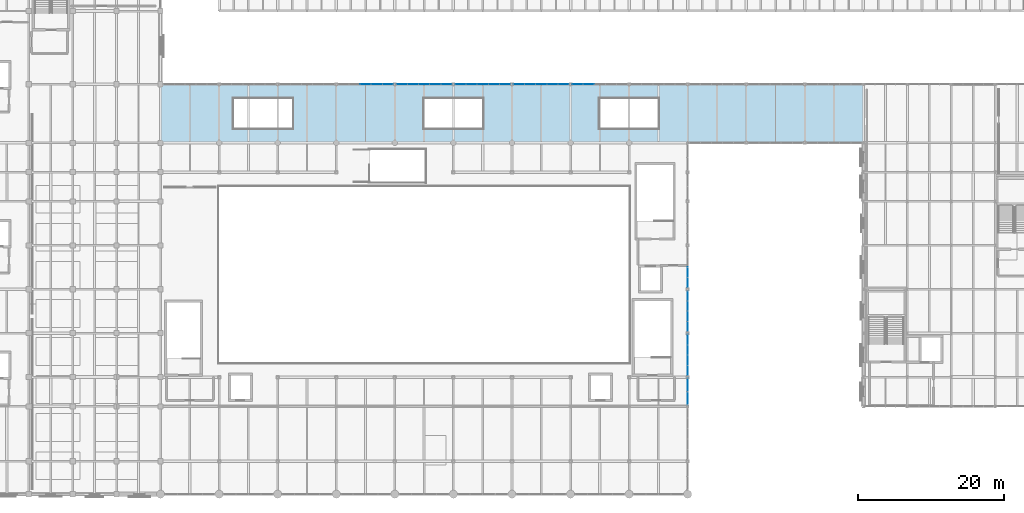
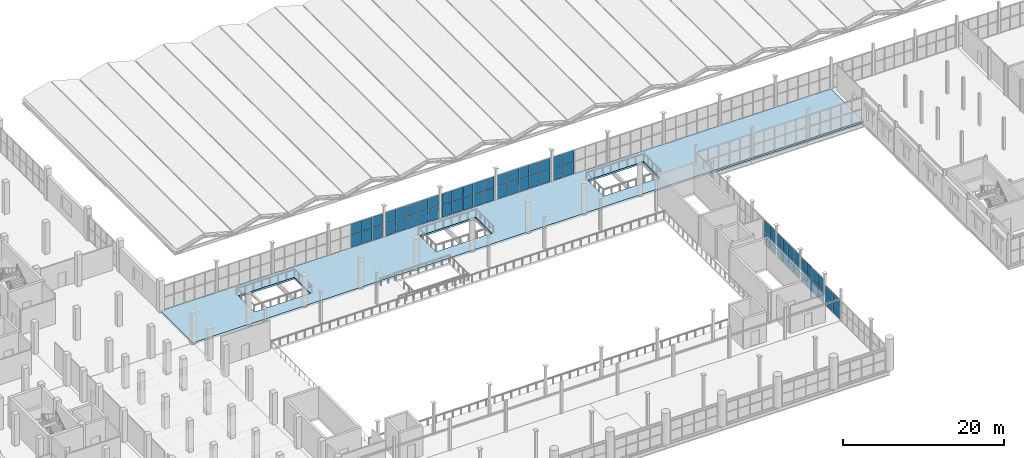
# One storey, part 84 of 114: 64 plates, 1 slab, 9 elements without a shape of their own.
"""IFC4 building model written with IfcOpenShell, lengths in metres."""

from ifc_helpers import new_model, si_unit, direction, frame, origin, origin_2d, place, context, subcontext, project, spatial, polyline, rectangle, outline, extrude, material, layer, layer_set, type_object, element, aggregate, save


model = new_model("IFC4")

# Units and contexts
model_context = context("Model", 3, precision=1e-05, world=origin(), true_north=direction((0.0, 1.0)))
body_context = subcontext(model_context, "Body", "Model", "MODEL_VIEW")
ifc_project = project(units=[si_unit("LENGTHUNIT", "METRE"), si_unit("AREAUNIT", "SQUARE_METRE"), si_unit("VOLUMEUNIT", "CUBIC_METRE"), si_unit("PLANEANGLEUNIT", "RADIAN"), si_unit("MASSUNIT", "GRAM", prefix="KILO")], contexts=[model_context])

# Site, building, storey
site_placement = place(None, origin())
site = spatial("IfcSite", under=ifc_project, at=site_placement, CompositionType="ELEMENT")
building_placement = place(site_placement, origin())
building = spatial("IfcBuilding", under=site, at=building_placement, Name="Verrall Gate Interchange", CompositionType="ELEMENT")
storey_placement = place(building_placement, frame((0.0, 0.0, 6.60009765625)))
storey = spatial("IfcBuildingStorey", under=building, at=storey_placement, Name="L02", CompositionType="ELEMENT", Elevation=6.60009765625)

# Curtain wall, plates
ifc_material_1 = material(Name="Thermally Broken Anodized Aluminium Curtain Wall Framing", Category="aluminium")
curtain_wall_type_1 = type_object("IfcCurtainWallType", Name="CW-18 Unitized Curtain Wall 5631x3760", PredefinedType="NOTDEFINED", material=ifc_material_1)
curtain_wall_1_placement = place(storey_placement, origin())
curtain_wall_1 = element("IfcCurtainWall", 1, at=curtain_wall_1_placement, inside=storey, type_object=curtain_wall_type_1, Name="L02 Unitized Curtain Wall CW-L02-064", PredefinedType="NOTDEFINED")
ifc_material_2 = material(Name="Triple-Glazed Low-E Argon Insulated Curtain Panel (U=1.45)", Category="glass")
ifc_layer_1 = layer(ifc_material_2, 0.030029296875)
ifc_layer_set_1 = layer_set([ifc_layer_1], Name="Triple-Glazed Low-E Argon Insulated Curtain Panel (U=1.45)")
plate_type_1 = type_object("IfcPlateType", Name="CP-01 Curtain Glazing Panel 30", PredefinedType="CURTAIN_PANEL", material=ifc_layer_set_1)
plate_1_placement = place(storey_placement, frame((108.0, 16.90478515625, 0.054443359375), z_axis=(0.0, 0.0, 1.0), x_axis=(0.0, 1.0, 0.0)))
plate_1 = element("IfcPlate", 2, at=plate_1_placement, type_object=plate_type_1, Name="CW-L02-064 Glazing Panel 1.1", PredefinedType="CURTAIN_PANEL", context=body_context, shape_type="SweptSolid", body=[
    extrude(rectangle(XDim=1.3310546875, YDim=0.030029296875, at=origin_2d()), origin(), (0.0, 0.0, 1.0), 1.87841796875),
])
plate_2_placement = place(storey_placement, frame((108.0, 16.90478515625, 1.977294921875), z_axis=(0.0, 0.0, 1.0), x_axis=(0.0, 1.0, 0.0)))
plate_2 = element("IfcPlate", 3, at=plate_2_placement, type_object=plate_type_1, Name="CW-L02-064 Glazing Panel 1.2", PredefinedType="CURTAIN_PANEL", context=body_context, shape_type="SweptSolid", body=[
    extrude(rectangle(XDim=1.3310546875, YDim=0.030029296875, at=origin_2d()), origin(), (0.0, 0.0, 1.0), 1.72802734375),
])
plate_3_placement = place(storey_placement, frame((108.0, 18.296142578125, 0.054443359375), z_axis=(0.0, 0.0, 1.0), x_axis=(0.0, 1.0, 0.0)))
plate_3 = element("IfcPlate", 4, at=plate_3_placement, type_object=plate_type_1, Name="CW-L02-064 Glazing Panel 2.1", PredefinedType="CURTAIN_PANEL", context=body_context, shape_type="SweptSolid", body=[
    extrude(rectangle(XDim=1.363525390625, YDim=0.030029296875, at=origin_2d()), origin(), (0.0, 0.0, 1.0), 1.87841796875),
])
plate_4_placement = place(storey_placement, frame((108.0, 18.296142578125, 1.977294921875), z_axis=(0.0, 0.0, 1.0), x_axis=(0.0, 1.0, 0.0)))
plate_4 = element("IfcPlate", 5, at=plate_4_placement, type_object=plate_type_1, Name="CW-L02-064 Glazing Panel 2.2", PredefinedType="CURTAIN_PANEL", context=body_context, shape_type="SweptSolid", body=[
    extrude(rectangle(XDim=1.363525390625, YDim=0.030029296875, at=origin_2d()), origin(), (0.0, 0.0, 1.0), 1.72802734375),
])
plate_5_placement = place(storey_placement, frame((108.0, 19.703857421875, 0.054443359375), z_axis=(0.0, 0.0, 1.0), x_axis=(0.0, 1.0, 0.0)))
plate_5 = element("IfcPlate", 6, at=plate_5_placement, type_object=plate_type_1, Name="CW-L02-064 Glazing Panel 3.1", PredefinedType="CURTAIN_PANEL", context=body_context, shape_type="SweptSolid", body=[
    extrude(rectangle(XDim=1.363525390625, YDim=0.030029296875, at=origin_2d()), origin(), (0.0, 0.0, 1.0), 1.87841796875),
])
plate_6_placement = place(storey_placement, frame((108.0, 19.703857421875, 1.977294921875), z_axis=(0.0, 0.0, 1.0), x_axis=(0.0, 1.0, 0.0)))
plate_6 = element("IfcPlate", 7, at=plate_6_placement, type_object=plate_type_1, Name="CW-L02-064 Glazing Panel 3.2", PredefinedType="CURTAIN_PANEL", context=body_context, shape_type="SweptSolid", body=[
    extrude(rectangle(XDim=1.363525390625, YDim=0.030029296875, at=origin_2d()), origin(), (0.0, 0.0, 1.0), 1.72802734375),
])
plate_7_placement = place(storey_placement, frame((108.0, 21.095458984375, 0.054443359375), z_axis=(0.0, 0.0, 1.0), x_axis=(0.0, 1.0, 0.0)))
plate_7 = element("IfcPlate", 8, at=plate_7_placement, type_object=plate_type_1, Name="CW-L02-064 Glazing Panel 4.1", PredefinedType="CURTAIN_PANEL", context=body_context, shape_type="SweptSolid", body=[
    extrude(rectangle(XDim=1.3310546875, YDim=0.030029296875, at=origin_2d()), origin(), (0.0, 0.0, 1.0), 1.87841796875),
])
plate_8_placement = place(storey_placement, frame((108.0, 21.095458984375, 1.977294921875), z_axis=(0.0, 0.0, 1.0), x_axis=(0.0, 1.0, 0.0)))
plate_8 = element("IfcPlate", 9, at=plate_8_placement, type_object=plate_type_1, Name="CW-L02-064 Glazing Panel 4.2", PredefinedType="CURTAIN_PANEL", context=body_context, shape_type="SweptSolid", body=[
    extrude(rectangle(XDim=1.3310546875, YDim=0.030029296875, at=origin_2d()), origin(), (0.0, 0.0, 1.0), 1.72802734375),
])
aggregate(curtain_wall_1, [plate_1, plate_2, plate_3, plate_4, plate_5, plate_6, plate_7, plate_8])

curtain_wall_2_placement = place(storey_placement, origin())
curtain_wall_2 = element("IfcCurtainWall", 10, at=curtain_wall_2_placement, inside=storey, type_object=curtain_wall_type_1, Name="L02 Unitized Curtain Wall CW-L02-065", PredefinedType="NOTDEFINED")
plate_9_placement = place(storey_placement, frame((108.0, 22.9072265625, 0.06298828125), z_axis=(0.0, 0.0, 1.0), x_axis=(0.0, 1.0, 0.0)))
plate_9 = element("IfcPlate", 11, at=plate_9_placement, type_object=plate_type_1, Name="CW-L02-065 Glazing Panel 1.1", PredefinedType="CURTAIN_PANEL", context=body_context, shape_type="SweptSolid", body=[
    extrude(rectangle(XDim=1.3193359375, YDim=0.030029296875, at=origin_2d()), origin(), (0.0, 0.0, 1.0), 1.903076171875),
])
plate_10_placement = place(storey_placement, frame((108.0, 22.9072265625, 2.016845703125), z_axis=(0.0, 0.0, 1.0), x_axis=(0.0, 1.0, 0.0)))
plate_10 = element("IfcPlate", 12, at=plate_10_placement, type_object=plate_type_1, Name="CW-L02-065 Glazing Panel 1.2", PredefinedType="CURTAIN_PANEL", context=body_context, shape_type="SweptSolid", body=[
    extrude(rectangle(XDim=1.3193359375, YDim=0.030029296875, at=origin_2d()), origin(), (0.0, 0.0, 1.0), 1.75),
])
plate_11_placement = place(storey_placement, frame((108.0, 24.296142578125, 0.06298828125), z_axis=(0.0, 0.0, 1.0), x_axis=(0.0, 1.0, 0.0)))
plate_11 = element("IfcPlate", 13, at=plate_11_placement, type_object=plate_type_1, Name="CW-L02-065 Glazing Panel 2.1", PredefinedType="CURTAIN_PANEL", context=body_context, shape_type="SweptSolid", body=[
    extrude(rectangle(XDim=1.356689453125, YDim=0.030029296875, at=origin_2d()), origin(), (0.0, 0.0, 1.0), 1.903076171875),
])
plate_12_placement = place(storey_placement, frame((108.0, 24.296142578125, 2.016845703125), z_axis=(0.0, 0.0, 1.0), x_axis=(0.0, 1.0, 0.0)))
plate_12 = element("IfcPlate", 14, at=plate_12_placement, type_object=plate_type_1, Name="CW-L02-065 Glazing Panel 2.2", PredefinedType="CURTAIN_PANEL", context=body_context, shape_type="SweptSolid", body=[
    extrude(rectangle(XDim=1.356689453125, YDim=0.030029296875, at=origin_2d()), origin(), (0.0, 0.0, 1.0), 1.75),
])
plate_13_placement = place(storey_placement, frame((108.0, 25.703857421875, 0.06298828125), z_axis=(0.0, 0.0, 1.0), x_axis=(0.0, 1.0, 0.0)))
plate_13 = element("IfcPlate", 15, at=plate_13_placement, type_object=plate_type_1, Name="CW-L02-065 Glazing Panel 3.1", PredefinedType="CURTAIN_PANEL", context=body_context, shape_type="SweptSolid", body=[
    extrude(rectangle(XDim=1.356689453125, YDim=0.030029296875, at=origin_2d()), origin(), (0.0, 0.0, 1.0), 1.903076171875),
])
plate_14_placement = place(storey_placement, frame((108.0, 25.703857421875, 2.016845703125), z_axis=(0.0, 0.0, 1.0), x_axis=(0.0, 1.0, 0.0)))
plate_14 = element("IfcPlate", 16, at=plate_14_placement, type_object=plate_type_1, Name="CW-L02-065 Glazing Panel 3.2", PredefinedType="CURTAIN_PANEL", context=body_context, shape_type="SweptSolid", body=[
    extrude(rectangle(XDim=1.356689453125, YDim=0.030029296875, at=origin_2d()), origin(), (0.0, 0.0, 1.0), 1.75),
])
plate_15_placement = place(storey_placement, frame((108.0, 27.093017578125, 0.06298828125), z_axis=(0.0, 0.0, 1.0), x_axis=(0.0, 1.0, 0.0)))
plate_15 = element("IfcPlate", 17, at=plate_15_placement, type_object=plate_type_1, Name="CW-L02-065 Glazing Panel 4.1", PredefinedType="CURTAIN_PANEL", context=body_context, shape_type="SweptSolid", body=[
    extrude(rectangle(XDim=1.319091796875, YDim=0.030029296875, at=origin_2d()), origin(), (0.0, 0.0, 1.0), 1.903076171875),
])
plate_16_placement = place(storey_placement, frame((108.0, 27.093017578125, 2.016845703125), z_axis=(0.0, 0.0, 1.0), x_axis=(0.0, 1.0, 0.0)))
plate_16 = element("IfcPlate", 18, at=plate_16_placement, type_object=plate_type_1, Name="CW-L02-065 Glazing Panel 4.2", PredefinedType="CURTAIN_PANEL", context=body_context, shape_type="SweptSolid", body=[
    extrude(rectangle(XDim=1.319091796875, YDim=0.030029296875, at=origin_2d()), origin(), (0.0, 0.0, 1.0), 1.75),
])
aggregate(curtain_wall_2, [plate_9, plate_10, plate_11, plate_12, plate_13, plate_14, plate_15, plate_16])

ifc_material_3 = material(Name="Thermally Broken Anodized Aluminium Curtain Wall Framing", Category="aluminium")
curtain_wall_type_2 = type_object("IfcCurtainWallType", Name="CW-21 Unitized Curtain Wall 7631x3680", PredefinedType="NOTDEFINED", material=ifc_material_3)
curtain_wall_3_placement = place(storey_placement, origin())
curtain_wall_3 = element("IfcCurtainWall", 19, at=curtain_wall_3_placement, inside=storey, type_object=curtain_wall_type_2, Name="L02 Unitized Curtain Wall CW-L02-077", PredefinedType="NOTDEFINED")
plate_17_placement = place(storey_placement, frame((94.473876953125, 56.0, 0.062744140625), z_axis=(0.0, 0.0, 1.0), x_axis=(-1.0, 0.0, 0.0)))
plate_17 = element("IfcPlate", 20, at=plate_17_placement, type_object=plate_type_1, Name="CW-L02-077 Glazing Panel 4.1", PredefinedType="CURTAIN_PANEL", context=body_context, shape_type="SweptSolid", body=[
    extrude(rectangle(XDim=1.47509765625, YDim=0.030029296875, at=origin_2d()), origin(), (0.0, 0.0, 1.0), 1.8251953125),
])
plate_18_placement = place(storey_placement, frame((94.473876953125, 56.0, 1.93896484375), z_axis=(0.0, 0.0, 1.0), x_axis=(-1.0, 0.0, 0.0)))
plate_18 = element("IfcPlate", 21, at=plate_18_placement, type_object=plate_type_1, Name="CW-L02-077 Glazing Panel 4.2", PredefinedType="CURTAIN_PANEL", context=body_context, shape_type="SweptSolid", body=[
    extrude(rectangle(XDim=1.47509765625, YDim=0.030029296875, at=origin_2d()), origin(), (0.0, 0.0, 1.0), 1.677978515625),
])
plate_19_placement = place(storey_placement, frame((92.96630859375, 56.0, 0.062744140625), z_axis=(0.0, 0.0, 1.0), x_axis=(-1.0, 0.0, 0.0)))
plate_19 = element("IfcPlate", 22, at=plate_19_placement, type_object=plate_type_1, Name="CW-L02-077 Glazing Panel 5.1", PredefinedType="CURTAIN_PANEL", context=body_context, shape_type="SweptSolid", body=[
    extrude(rectangle(XDim=1.437744140625, YDim=0.030029296875, at=origin_2d()), origin(), (0.0, 0.0, 1.0), 1.8251953125),
])
plate_20_placement = place(storey_placement, frame((92.96630859375, 56.0, 1.93896484375), z_axis=(0.0, 0.0, 1.0), x_axis=(-1.0, 0.0, 0.0)))
plate_20 = element("IfcPlate", 23, at=plate_20_placement, type_object=plate_type_1, Name="CW-L02-077 Glazing Panel 5.2", PredefinedType="CURTAIN_PANEL", context=body_context, shape_type="SweptSolid", body=[
    extrude(rectangle(XDim=1.437744140625, YDim=0.030029296875, at=origin_2d()), origin(), (0.0, 0.0, 1.0), 1.677978515625),
])
aggregate(curtain_wall_3, [plate_17, plate_18, plate_19, plate_20])

curtain_wall_4_placement = place(storey_placement, origin())
curtain_wall_4 = element("IfcCurtainWall", 24, at=curtain_wall_4_placement, inside=storey, type_object=curtain_wall_type_2, Name="L02 Unitized Curtain Wall CW-L02-080", PredefinedType="NOTDEFINED")
plate_21_placement = place(storey_placement, frame((75.0361328125, 56.0, 0.054443359375), z_axis=(0.0, 0.0, 1.0), x_axis=(-1.0, 0.0, 0.0)))
plate_21 = element("IfcPlate", 25, at=plate_21_placement, type_object=plate_type_1, Name="CW-L02-080 Glazing Panel 1.1", PredefinedType="CURTAIN_PANEL", context=body_context, shape_type="SweptSolid", body=[
    extrude(rectangle(XDim=1.449462890625, YDim=0.030029296875, at=origin_2d()), origin(), (0.0, 0.0, 1.0), 1.8369140625),
])
plate_22_placement = place(storey_placement, frame((75.0361328125, 56.0, 1.935546875), z_axis=(0.0, 0.0, 1.0), x_axis=(-1.0, 0.0, 0.0)))
plate_22 = element("IfcPlate", 26, at=plate_22_placement, type_object=plate_type_1, Name="CW-L02-080 Glazing Panel 1.2", PredefinedType="CURTAIN_PANEL", context=body_context, shape_type="SweptSolid", body=[
    extrude(rectangle(XDim=1.449462890625, YDim=0.030029296875, at=origin_2d()), origin(), (0.0, 0.0, 1.0), 1.689697265625),
])
plate_23_placement = place(storey_placement, frame((73.526123046875, 56.0, 0.054443359375), z_axis=(0.0, 0.0, 1.0), x_axis=(-1.0, 0.0, 0.0)))
plate_23 = element("IfcPlate", 27, at=plate_23_placement, type_object=plate_type_1, Name="CW-L02-080 Glazing Panel 2.1", PredefinedType="CURTAIN_PANEL", context=body_context, shape_type="SweptSolid", body=[
    extrude(rectangle(XDim=1.48193359375, YDim=0.030029296875, at=origin_2d()), origin(), (0.0, 0.0, 1.0), 1.8369140625),
])
plate_24_placement = place(storey_placement, frame((73.526123046875, 56.0, 1.935546875), z_axis=(0.0, 0.0, 1.0), x_axis=(-1.0, 0.0, 0.0)))
plate_24 = element("IfcPlate", 28, at=plate_24_placement, type_object=plate_type_1, Name="CW-L02-080 Glazing Panel 2.2", PredefinedType="CURTAIN_PANEL", context=body_context, shape_type="SweptSolid", body=[
    extrude(rectangle(XDim=1.48193359375, YDim=0.030029296875, at=origin_2d()), origin(), (0.0, 0.0, 1.0), 1.689697265625),
])
plate_25_placement = place(storey_placement, frame((72.0, 56.0, 0.054443359375), z_axis=(0.0, 0.0, 1.0), x_axis=(-1.0, 0.0, 0.0)))
plate_25 = element("IfcPlate", 29, at=plate_25_placement, type_object=plate_type_1, Name="CW-L02-080 Glazing Panel 3.1", PredefinedType="CURTAIN_PANEL", context=body_context, shape_type="SweptSolid", body=[
    extrude(rectangle(XDim=1.48193359375, YDim=0.030029296875, at=origin_2d()), origin(), (0.0, 0.0, 1.0), 1.8369140625),
])
plate_26_placement = place(storey_placement, frame((72.0, 56.0, 1.935546875), z_axis=(0.0, 0.0, 1.0), x_axis=(-1.0, 0.0, 0.0)))
plate_26 = element("IfcPlate", 30, at=plate_26_placement, type_object=plate_type_1, Name="CW-L02-080 Glazing Panel 3.2", PredefinedType="CURTAIN_PANEL", context=body_context, shape_type="SweptSolid", body=[
    extrude(rectangle(XDim=1.48193359375, YDim=0.030029296875, at=origin_2d()), origin(), (0.0, 0.0, 1.0), 1.689697265625),
])
plate_27_placement = place(storey_placement, frame((70.473876953125, 56.0, 0.054443359375), z_axis=(0.0, 0.0, 1.0), x_axis=(-1.0, 0.0, 0.0)))
plate_27 = element("IfcPlate", 31, at=plate_27_placement, type_object=plate_type_1, Name="CW-L02-080 Glazing Panel 4.1", PredefinedType="CURTAIN_PANEL", context=body_context, shape_type="SweptSolid", body=[
    extrude(rectangle(XDim=1.48193359375, YDim=0.030029296875, at=origin_2d()), origin(), (0.0, 0.0, 1.0), 1.8369140625),
])
plate_28_placement = place(storey_placement, frame((70.473876953125, 56.0, 1.935546875), z_axis=(0.0, 0.0, 1.0), x_axis=(-1.0, 0.0, 0.0)))
plate_28 = element("IfcPlate", 32, at=plate_28_placement, type_object=plate_type_1, Name="CW-L02-080 Glazing Panel 4.2", PredefinedType="CURTAIN_PANEL", context=body_context, shape_type="SweptSolid", body=[
    extrude(rectangle(XDim=1.48193359375, YDim=0.030029296875, at=origin_2d()), origin(), (0.0, 0.0, 1.0), 1.689697265625),
])
plate_29_placement = place(storey_placement, frame((68.9638671875, 56.0, 0.054443359375), z_axis=(0.0, 0.0, 1.0), x_axis=(-1.0, 0.0, 0.0)))
plate_29 = element("IfcPlate", 33, at=plate_29_placement, type_object=plate_type_1, Name="CW-L02-080 Glazing Panel 5.1", PredefinedType="CURTAIN_PANEL", context=body_context, shape_type="SweptSolid", body=[
    extrude(rectangle(XDim=1.449462890625, YDim=0.030029296875, at=origin_2d()), origin(), (0.0, 0.0, 1.0), 1.8369140625),
])
plate_30_placement = place(storey_placement, frame((68.9638671875, 56.0, 1.935546875), z_axis=(0.0, 0.0, 1.0), x_axis=(-1.0, 0.0, 0.0)))
plate_30 = element("IfcPlate", 34, at=plate_30_placement, type_object=plate_type_1, Name="CW-L02-080 Glazing Panel 5.2", PredefinedType="CURTAIN_PANEL", context=body_context, shape_type="SweptSolid", body=[
    extrude(rectangle(XDim=1.449462890625, YDim=0.030029296875, at=origin_2d()), origin(), (0.0, 0.0, 1.0), 1.689697265625),
])
aggregate(curtain_wall_4, [plate_21, plate_22, plate_23, plate_24, plate_25, plate_26, plate_27, plate_28, plate_29, plate_30])

curtain_wall_5_placement = place(storey_placement, origin())
curtain_wall_5 = element("IfcCurtainWall", 35, at=curtain_wall_5_placement, inside=storey, type_object=curtain_wall_type_2, Name="L02 Unitized Curtain Wall CW-L02-081", PredefinedType="NOTDEFINED")
plate_31_placement = place(storey_placement, frame((67.03369140625, 56.0, 0.062744140625), z_axis=(0.0, 0.0, 1.0), x_axis=(-1.0, 0.0, 0.0)))
plate_31 = element("IfcPlate", 36, at=plate_31_placement, type_object=plate_type_1, Name="CW-L02-081 Glazing Panel 1.1", PredefinedType="CURTAIN_PANEL", context=body_context, shape_type="SweptSolid", body=[
    extrude(rectangle(XDim=1.437744140625, YDim=0.030029296875, at=origin_2d()), origin(), (0.0, 0.0, 1.0), 1.8251953125),
])
plate_32_placement = place(storey_placement, frame((67.03369140625, 56.0, 1.93896484375), z_axis=(0.0, 0.0, 1.0), x_axis=(-1.0, 0.0, 0.0)))
plate_32 = element("IfcPlate", 37, at=plate_32_placement, type_object=plate_type_1, Name="CW-L02-081 Glazing Panel 1.2", PredefinedType="CURTAIN_PANEL", context=body_context, shape_type="SweptSolid", body=[
    extrude(rectangle(XDim=1.437744140625, YDim=0.030029296875, at=origin_2d()), origin(), (0.0, 0.0, 1.0), 1.677978515625),
])
plate_33_placement = place(storey_placement, frame((65.526123046875, 56.0, 0.062744140625), z_axis=(0.0, 0.0, 1.0), x_axis=(-1.0, 0.0, 0.0)))
plate_33 = element("IfcPlate", 38, at=plate_33_placement, type_object=plate_type_1, Name="CW-L02-081 Glazing Panel 2.1", PredefinedType="CURTAIN_PANEL", context=body_context, shape_type="SweptSolid", body=[
    extrude(rectangle(XDim=1.47509765625, YDim=0.030029296875, at=origin_2d()), origin(), (0.0, 0.0, 1.0), 1.8251953125),
])
plate_34_placement = place(storey_placement, frame((65.526123046875, 56.0, 1.93896484375), z_axis=(0.0, 0.0, 1.0), x_axis=(-1.0, 0.0, 0.0)))
plate_34 = element("IfcPlate", 39, at=plate_34_placement, type_object=plate_type_1, Name="CW-L02-081 Glazing Panel 2.2", PredefinedType="CURTAIN_PANEL", context=body_context, shape_type="SweptSolid", body=[
    extrude(rectangle(XDim=1.47509765625, YDim=0.030029296875, at=origin_2d()), origin(), (0.0, 0.0, 1.0), 1.677978515625),
])
plate_35_placement = place(storey_placement, frame((64.0, 56.0, 0.062744140625), z_axis=(0.0, 0.0, 1.0), x_axis=(-1.0, 0.0, 0.0)))
plate_35 = element("IfcPlate", 40, at=plate_35_placement, type_object=plate_type_1, Name="CW-L02-081 Glazing Panel 3.1", PredefinedType="CURTAIN_PANEL", context=body_context, shape_type="SweptSolid", body=[
    extrude(rectangle(XDim=1.47509765625, YDim=0.030029296875, at=origin_2d()), origin(), (0.0, 0.0, 1.0), 1.8251953125),
])
plate_36_placement = place(storey_placement, frame((64.0, 56.0, 1.93896484375), z_axis=(0.0, 0.0, 1.0), x_axis=(-1.0, 0.0, 0.0)))
plate_36 = element("IfcPlate", 41, at=plate_36_placement, type_object=plate_type_1, Name="CW-L02-081 Glazing Panel 3.2", PredefinedType="CURTAIN_PANEL", context=body_context, shape_type="SweptSolid", body=[
    extrude(rectangle(XDim=1.47509765625, YDim=0.030029296875, at=origin_2d()), origin(), (0.0, 0.0, 1.0), 1.677978515625),
])
aggregate(curtain_wall_5, [plate_31, plate_32, plate_33, plate_34, plate_35, plate_36])

ifc_material_4 = material(Name="Thermally Broken Anodized Aluminium Curtain Wall Framing", Category="aluminium")
curtain_wall_type_3 = type_object("IfcCurtainWallType", Name="CW-17 Unitized Curtain Wall 3631x3100", PredefinedType="NOTDEFINED", material=ifc_material_4)
curtain_wall_6_placement = place(storey_placement, origin())
curtain_wall_6 = element("IfcCurtainWall", 42, at=curtain_wall_6_placement, inside=storey, type_object=curtain_wall_type_3, Name="L02 Unitized Curtain Wall CW-L02-063", PredefinedType="NOTDEFINED")
ifc_material_5 = material(Name="Triple-Glazed Low-E Argon Insulated Curtain Panel (U=1.45)", Category="glass")
ifc_layer_2 = layer(ifc_material_5, 0.0400390625)
ifc_layer_set_2 = layer_set([ifc_layer_2], Name="Triple-Glazed Low-E Argon Insulated Curtain Panel (U=1.45)")
plate_type_2 = type_object("IfcPlateType", Name="CP-02 Curtain Glazing Panel 40", PredefinedType="CURTAIN_PANEL", material=ifc_layer_set_2)
plate_37_placement = place(storey_placement, frame((108.0, 13.111083984375, 0.06298828125), z_axis=(0.0, 0.0, 1.0), x_axis=(0.0, 1.0, 0.0)))
plate_37 = element("IfcPlate", 43, at=plate_37_placement, type_object=plate_type_2, Name="CW-L02-063 Glazing Panel 1.1", PredefinedType="CURTAIN_PANEL", context=body_context, shape_type="SweptSolid", body=[
    extrude(rectangle(XDim=1.72705078125, YDim=0.0400390625, at=origin_2d()), origin(), (0.0, 0.0, 1.0), 1.5234375),
])
plate_38_placement = place(storey_placement, frame((108.0, 13.111083984375, 1.637451171875), z_axis=(0.0, 0.0, 1.0), x_axis=(0.0, 1.0, 0.0)))
plate_38 = element("IfcPlate", 44, at=plate_38_placement, type_object=plate_type_2, Name="CW-L02-063 Glazing Panel 1.2", PredefinedType="CURTAIN_PANEL", context=body_context, shape_type="SweptSolid", body=[
    extrude(rectangle(XDim=1.72705078125, YDim=0.0400390625, at=origin_2d()), origin(), (0.0, 0.0, 1.0), 1.3994140625),
])
plate_39_placement = place(storey_placement, frame((108.0, 14.888916015625, 0.06298828125), z_axis=(0.0, 0.0, 1.0), x_axis=(0.0, 1.0, 0.0)))
plate_39 = element("IfcPlate", 45, at=plate_39_placement, type_object=plate_type_2, Name="CW-L02-063 Glazing Panel 2.1", PredefinedType="CURTAIN_PANEL", context=body_context, shape_type="SweptSolid", body=[
    extrude(rectangle(XDim=1.72705078125, YDim=0.0400390625, at=origin_2d()), origin(), (0.0, 0.0, 1.0), 1.5234375),
])
plate_40_placement = place(storey_placement, frame((108.0, 14.888916015625, 1.637451171875), z_axis=(0.0, 0.0, 1.0), x_axis=(0.0, 1.0, 0.0)))
plate_40 = element("IfcPlate", 46, at=plate_40_placement, type_object=plate_type_2, Name="CW-L02-063 Glazing Panel 2.2", PredefinedType="CURTAIN_PANEL", context=body_context, shape_type="SweptSolid", body=[
    extrude(rectangle(XDim=1.72705078125, YDim=0.0400390625, at=origin_2d()), origin(), (0.0, 0.0, 1.0), 1.3994140625),
])
aggregate(curtain_wall_6, [plate_37, plate_38, plate_39, plate_40])

curtain_wall_7_placement = place(storey_placement, origin())
curtain_wall_7 = element("IfcCurtainWall", 47, at=curtain_wall_7_placement, inside=storey, type_object=curtain_wall_type_1, Name="L02 Unitized Curtain Wall CW-L02-066", PredefinedType="NOTDEFINED")
plate_41_placement = place(storey_placement, frame((108.0, 28.90478515625, 0.0546875), z_axis=(0.0, 0.0, 1.0), x_axis=(0.0, 1.0, 0.0)))
plate_41 = element("IfcPlate", 48, at=plate_41_placement, type_object=plate_type_2, Name="CW-L02-066 Glazing Panel 1.1", PredefinedType="CURTAIN_PANEL", context=body_context, shape_type="SweptSolid", body=[
    extrude(rectangle(XDim=1.3310546875, YDim=0.0400390625, at=origin_2d()), origin(), (0.0, 0.0, 1.0), 1.914794921875),
])
plate_42_placement = place(storey_placement, frame((108.0, 28.90478515625, 2.013671875), z_axis=(0.0, 0.0, 1.0), x_axis=(0.0, 1.0, 0.0)))
plate_42 = element("IfcPlate", 49, at=plate_42_placement, type_object=plate_type_2, Name="CW-L02-066 Glazing Panel 1.2", PredefinedType="CURTAIN_PANEL", context=body_context, shape_type="SweptSolid", body=[
    extrude(rectangle(XDim=1.3310546875, YDim=0.0400390625, at=origin_2d()), origin(), (0.0, 0.0, 1.0), 1.76171875),
])
plate_43_placement = place(storey_placement, frame((108.0, 30.296142578125, 0.0546875), z_axis=(0.0, 0.0, 1.0), x_axis=(0.0, 1.0, 0.0)))
plate_43 = element("IfcPlate", 50, at=plate_43_placement, type_object=plate_type_2, Name="CW-L02-066 Glazing Panel 2.1", PredefinedType="CURTAIN_PANEL", context=body_context, shape_type="SweptSolid", body=[
    extrude(rectangle(XDim=1.363525390625, YDim=0.0400390625, at=origin_2d()), origin(), (0.0, 0.0, 1.0), 1.914794921875),
])
plate_44_placement = place(storey_placement, frame((108.0, 30.296142578125, 2.013671875), z_axis=(0.0, 0.0, 1.0), x_axis=(0.0, 1.0, 0.0)))
plate_44 = element("IfcPlate", 51, at=plate_44_placement, type_object=plate_type_2, Name="CW-L02-066 Glazing Panel 2.2", PredefinedType="CURTAIN_PANEL", context=body_context, shape_type="SweptSolid", body=[
    extrude(rectangle(XDim=1.363525390625, YDim=0.0400390625, at=origin_2d()), origin(), (0.0, 0.0, 1.0), 1.76171875),
])
aggregate(curtain_wall_7, [plate_41, plate_42, plate_43, plate_44])

curtain_wall_8_placement = place(storey_placement, origin())
curtain_wall_8 = element("IfcCurtainWall", 52, at=curtain_wall_8_placement, inside=storey, type_object=curtain_wall_type_2, Name="L02 Unitized Curtain Wall CW-L02-078", PredefinedType="NOTDEFINED")
plate_45_placement = place(storey_placement, frame((91.0361328125, 56.0, 0.054443359375), z_axis=(0.0, 0.0, 1.0), x_axis=(-1.0, 0.0, 0.0)))
plate_45 = element("IfcPlate", 53, at=plate_45_placement, type_object=plate_type_2, Name="CW-L02-078 Glazing Panel 1.1", PredefinedType="CURTAIN_PANEL", context=body_context, shape_type="SweptSolid", body=[
    extrude(rectangle(XDim=1.449462890625, YDim=0.0400390625, at=origin_2d()), origin(), (0.0, 0.0, 1.0), 1.8369140625),
])
plate_46_placement = place(storey_placement, frame((91.0361328125, 56.0, 1.935546875), z_axis=(0.0, 0.0, 1.0), x_axis=(-1.0, 0.0, 0.0)))
plate_46 = element("IfcPlate", 54, at=plate_46_placement, type_object=plate_type_2, Name="CW-L02-078 Glazing Panel 1.2", PredefinedType="CURTAIN_PANEL", context=body_context, shape_type="SweptSolid", body=[
    extrude(rectangle(XDim=1.449462890625, YDim=0.0400390625, at=origin_2d()), origin(), (0.0, 0.0, 1.0), 1.689697265625),
])
plate_47_placement = place(storey_placement, frame((89.526123046875, 56.0, 0.054443359375), z_axis=(0.0, 0.0, 1.0), x_axis=(-1.0, 0.0, 0.0)))
plate_47 = element("IfcPlate", 55, at=plate_47_placement, type_object=plate_type_2, Name="CW-L02-078 Glazing Panel 2.1", PredefinedType="CURTAIN_PANEL", context=body_context, shape_type="SweptSolid", body=[
    extrude(rectangle(XDim=1.48193359375, YDim=0.0400390625, at=origin_2d()), origin(), (0.0, 0.0, 1.0), 1.8369140625),
])
plate_48_placement = place(storey_placement, frame((89.526123046875, 56.0, 1.935546875), z_axis=(0.0, 0.0, 1.0), x_axis=(-1.0, 0.0, 0.0)))
plate_48 = element("IfcPlate", 56, at=plate_48_placement, type_object=plate_type_2, Name="CW-L02-078 Glazing Panel 2.2", PredefinedType="CURTAIN_PANEL", context=body_context, shape_type="SweptSolid", body=[
    extrude(rectangle(XDim=1.48193359375, YDim=0.0400390625, at=origin_2d()), origin(), (0.0, 0.0, 1.0), 1.689697265625),
])
plate_49_placement = place(storey_placement, frame((88.0, 56.0, 0.054443359375), z_axis=(0.0, 0.0, 1.0), x_axis=(-1.0, 0.0, 0.0)))
plate_49 = element("IfcPlate", 57, at=plate_49_placement, type_object=plate_type_2, Name="CW-L02-078 Glazing Panel 3.1", PredefinedType="CURTAIN_PANEL", context=body_context, shape_type="SweptSolid", body=[
    extrude(rectangle(XDim=1.48193359375, YDim=0.0400390625, at=origin_2d()), origin(), (0.0, 0.0, 1.0), 1.8369140625),
])
plate_50_placement = place(storey_placement, frame((88.0, 56.0, 1.935546875), z_axis=(0.0, 0.0, 1.0), x_axis=(-1.0, 0.0, 0.0)))
plate_50 = element("IfcPlate", 58, at=plate_50_placement, type_object=plate_type_2, Name="CW-L02-078 Glazing Panel 3.2", PredefinedType="CURTAIN_PANEL", context=body_context, shape_type="SweptSolid", body=[
    extrude(rectangle(XDim=1.48193359375, YDim=0.0400390625, at=origin_2d()), origin(), (0.0, 0.0, 1.0), 1.689697265625),
])
plate_51_placement = place(storey_placement, frame((86.473876953125, 56.0, 0.054443359375), z_axis=(0.0, 0.0, 1.0), x_axis=(-1.0, 0.0, 0.0)))
plate_51 = element("IfcPlate", 59, at=plate_51_placement, type_object=plate_type_2, Name="CW-L02-078 Glazing Panel 4.1", PredefinedType="CURTAIN_PANEL", context=body_context, shape_type="SweptSolid", body=[
    extrude(rectangle(XDim=1.48193359375, YDim=0.0400390625, at=origin_2d()), origin(), (0.0, 0.0, 1.0), 1.8369140625),
])
plate_52_placement = place(storey_placement, frame((86.473876953125, 56.0, 1.935546875), z_axis=(0.0, 0.0, 1.0), x_axis=(-1.0, 0.0, 0.0)))
plate_52 = element("IfcPlate", 60, at=plate_52_placement, type_object=plate_type_2, Name="CW-L02-078 Glazing Panel 4.2", PredefinedType="CURTAIN_PANEL", context=body_context, shape_type="SweptSolid", body=[
    extrude(rectangle(XDim=1.48193359375, YDim=0.0400390625, at=origin_2d()), origin(), (0.0, 0.0, 1.0), 1.689697265625),
])
plate_53_placement = place(storey_placement, frame((84.9638671875, 56.0, 0.054443359375), z_axis=(0.0, 0.0, 1.0), x_axis=(-1.0, 0.0, 0.0)))
plate_53 = element("IfcPlate", 61, at=plate_53_placement, type_object=plate_type_2, Name="CW-L02-078 Glazing Panel 5.1", PredefinedType="CURTAIN_PANEL", context=body_context, shape_type="SweptSolid", body=[
    extrude(rectangle(XDim=1.449462890625, YDim=0.0400390625, at=origin_2d()), origin(), (0.0, 0.0, 1.0), 1.8369140625),
])
plate_54_placement = place(storey_placement, frame((84.9638671875, 56.0, 1.935546875), z_axis=(0.0, 0.0, 1.0), x_axis=(-1.0, 0.0, 0.0)))
plate_54 = element("IfcPlate", 62, at=plate_54_placement, type_object=plate_type_2, Name="CW-L02-078 Glazing Panel 5.2", PredefinedType="CURTAIN_PANEL", context=body_context, shape_type="SweptSolid", body=[
    extrude(rectangle(XDim=1.449462890625, YDim=0.0400390625, at=origin_2d()), origin(), (0.0, 0.0, 1.0), 1.689697265625),
])
aggregate(curtain_wall_8, [plate_45, plate_46, plate_47, plate_48, plate_49, plate_50, plate_51, plate_52, plate_53, plate_54])

curtain_wall_9_placement = place(storey_placement, origin())
curtain_wall_9 = element("IfcCurtainWall", 63, at=curtain_wall_9_placement, inside=storey, type_object=curtain_wall_type_2, Name="L02 Unitized Curtain Wall CW-L02-079", PredefinedType="NOTDEFINED")
plate_55_placement = place(storey_placement, frame((83.03369140625, 56.0, 0.062744140625), z_axis=(0.0, 0.0, 1.0), x_axis=(-1.0, 0.0, 0.0)))
plate_55 = element("IfcPlate", 64, at=plate_55_placement, type_object=plate_type_2, Name="CW-L02-079 Glazing Panel 1.1", PredefinedType="CURTAIN_PANEL", context=body_context, shape_type="SweptSolid", body=[
    extrude(rectangle(XDim=1.437744140625, YDim=0.0400390625, at=origin_2d()), origin(), (0.0, 0.0, 1.0), 1.8251953125),
])
plate_56_placement = place(storey_placement, frame((83.03369140625, 56.0, 1.93896484375), z_axis=(0.0, 0.0, 1.0), x_axis=(-1.0, 0.0, 0.0)))
plate_56 = element("IfcPlate", 65, at=plate_56_placement, type_object=plate_type_2, Name="CW-L02-079 Glazing Panel 1.2", PredefinedType="CURTAIN_PANEL", context=body_context, shape_type="SweptSolid", body=[
    extrude(rectangle(XDim=1.437744140625, YDim=0.0400390625, at=origin_2d()), origin(), (0.0, 0.0, 1.0), 1.677978515625),
])
plate_57_placement = place(storey_placement, frame((81.526123046875, 56.0, 0.062744140625), z_axis=(0.0, 0.0, 1.0), x_axis=(-1.0, 0.0, 0.0)))
plate_57 = element("IfcPlate", 66, at=plate_57_placement, type_object=plate_type_2, Name="CW-L02-079 Glazing Panel 2.1", PredefinedType="CURTAIN_PANEL", context=body_context, shape_type="SweptSolid", body=[
    extrude(rectangle(XDim=1.47509765625, YDim=0.0400390625, at=origin_2d()), origin(), (0.0, 0.0, 1.0), 1.8251953125),
])
plate_58_placement = place(storey_placement, frame((81.526123046875, 56.0, 1.93896484375), z_axis=(0.0, 0.0, 1.0), x_axis=(-1.0, 0.0, 0.0)))
plate_58 = element("IfcPlate", 67, at=plate_58_placement, type_object=plate_type_2, Name="CW-L02-079 Glazing Panel 2.2", PredefinedType="CURTAIN_PANEL", context=body_context, shape_type="SweptSolid", body=[
    extrude(rectangle(XDim=1.47509765625, YDim=0.0400390625, at=origin_2d()), origin(), (0.0, 0.0, 1.0), 1.677978515625),
])
plate_59_placement = place(storey_placement, frame((80.0, 56.0, 0.062744140625), z_axis=(0.0, 0.0, 1.0), x_axis=(-1.0, 0.0, 0.0)))
plate_59 = element("IfcPlate", 68, at=plate_59_placement, type_object=plate_type_2, Name="CW-L02-079 Glazing Panel 3.1", PredefinedType="CURTAIN_PANEL", context=body_context, shape_type="SweptSolid", body=[
    extrude(rectangle(XDim=1.47509765625, YDim=0.0400390625, at=origin_2d()), origin(), (0.0, 0.0, 1.0), 1.8251953125),
])
plate_60_placement = place(storey_placement, frame((80.0, 56.0, 1.93896484375), z_axis=(0.0, 0.0, 1.0), x_axis=(-1.0, 0.0, 0.0)))
plate_60 = element("IfcPlate", 69, at=plate_60_placement, type_object=plate_type_2, Name="CW-L02-079 Glazing Panel 3.2", PredefinedType="CURTAIN_PANEL", context=body_context, shape_type="SweptSolid", body=[
    extrude(rectangle(XDim=1.47509765625, YDim=0.0400390625, at=origin_2d()), origin(), (0.0, 0.0, 1.0), 1.677978515625),
])
plate_61_placement = place(storey_placement, frame((78.473876953125, 56.0, 0.062744140625), z_axis=(0.0, 0.0, 1.0), x_axis=(-1.0, 0.0, 0.0)))
plate_61 = element("IfcPlate", 70, at=plate_61_placement, type_object=plate_type_2, Name="CW-L02-079 Glazing Panel 4.1", PredefinedType="CURTAIN_PANEL", context=body_context, shape_type="SweptSolid", body=[
    extrude(rectangle(XDim=1.47509765625, YDim=0.0400390625, at=origin_2d()), origin(), (0.0, 0.0, 1.0), 1.8251953125),
])
plate_62_placement = place(storey_placement, frame((78.473876953125, 56.0, 1.93896484375), z_axis=(0.0, 0.0, 1.0), x_axis=(-1.0, 0.0, 0.0)))
plate_62 = element("IfcPlate", 71, at=plate_62_placement, type_object=plate_type_2, Name="CW-L02-079 Glazing Panel 4.2", PredefinedType="CURTAIN_PANEL", context=body_context, shape_type="SweptSolid", body=[
    extrude(rectangle(XDim=1.47509765625, YDim=0.0400390625, at=origin_2d()), origin(), (0.0, 0.0, 1.0), 1.677978515625),
])
plate_63_placement = place(storey_placement, frame((76.96630859375, 56.0, 0.062744140625), z_axis=(0.0, 0.0, 1.0), x_axis=(-1.0, 0.0, 0.0)))
plate_63 = element("IfcPlate", 72, at=plate_63_placement, type_object=plate_type_2, Name="CW-L02-079 Glazing Panel 5.1", PredefinedType="CURTAIN_PANEL", context=body_context, shape_type="SweptSolid", body=[
    extrude(rectangle(XDim=1.437744140625, YDim=0.0400390625, at=origin_2d()), origin(), (0.0, 0.0, 1.0), 1.8251953125),
])
plate_64_placement = place(storey_placement, frame((76.96630859375, 56.0, 1.93896484375), z_axis=(0.0, 0.0, 1.0), x_axis=(-1.0, 0.0, 0.0)))
plate_64 = element("IfcPlate", 73, at=plate_64_placement, type_object=plate_type_2, Name="CW-L02-079 Glazing Panel 5.2", PredefinedType="CURTAIN_PANEL", context=body_context, shape_type="SweptSolid", body=[
    extrude(rectangle(XDim=1.437744140625, YDim=0.0400390625, at=origin_2d()), origin(), (0.0, 0.0, 1.0), 1.677978515625),
])
aggregate(curtain_wall_9, [plate_55, plate_56, plate_57, plate_58, plate_59, plate_60, plate_61, plate_62, plate_63, plate_64])

# Slab
ifc_material_6 = material(Name="Concrete CSA A23.1 40 MPa (Class N)", Category="concrete")
ifc_layer_3 = layer(ifc_material_6, 0.280029296875)
ifc_layer_set_3 = layer_set([ifc_layer_3], Name="Concrete CSA A23.1 40 MPa (Class N)")
slab_type = type_object("IfcSlabType", Name="FS-08 Floor Slab 280", PredefinedType="FLOOR", material=ifc_layer_set_3)
slab_placement = place(storey_placement, frame((0.0, 0.0, -0.280029296875)))
element("IfcSlab", 74, at=slab_placement, inside=storey, type_object=slab_type, Name="L02 Structural Slab SLB-L02-08", PredefinedType="FLOOR", context=body_context, shape_type="SweptSolid", body=[
    extrude(outline(polyline([(36.0, 56.0), (132.0, 56.0), (132.0, 48.0), (108.0, 48.0), (36.0, 48.0), (36.0, 56.0)]), holes=[polyline([(104.0, 54.0), (96.0, 54.0), (96.0, 50.0), (104.0, 50.0), (104.0, 54.0)]), polyline([(80.0, 54.0), (72.0, 54.0), (72.0, 50.0), (80.0, 50.0), (80.0, 54.0)]), polyline([(54.0, 54.0), (46.0, 54.0), (46.0, 50.0), (54.0, 50.0), (54.0, 54.0)])]), origin(), (0.0, 0.0, 1.0), 0.280029296875),
])

save(model, "model.ifc")
